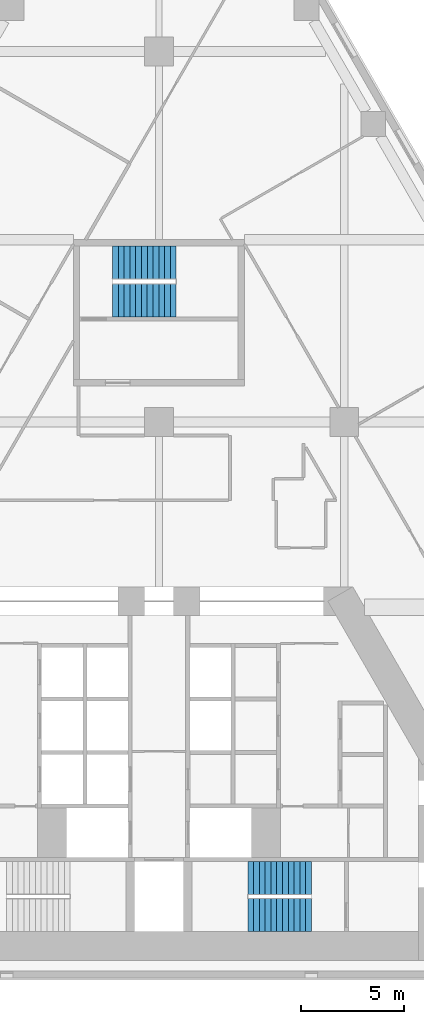
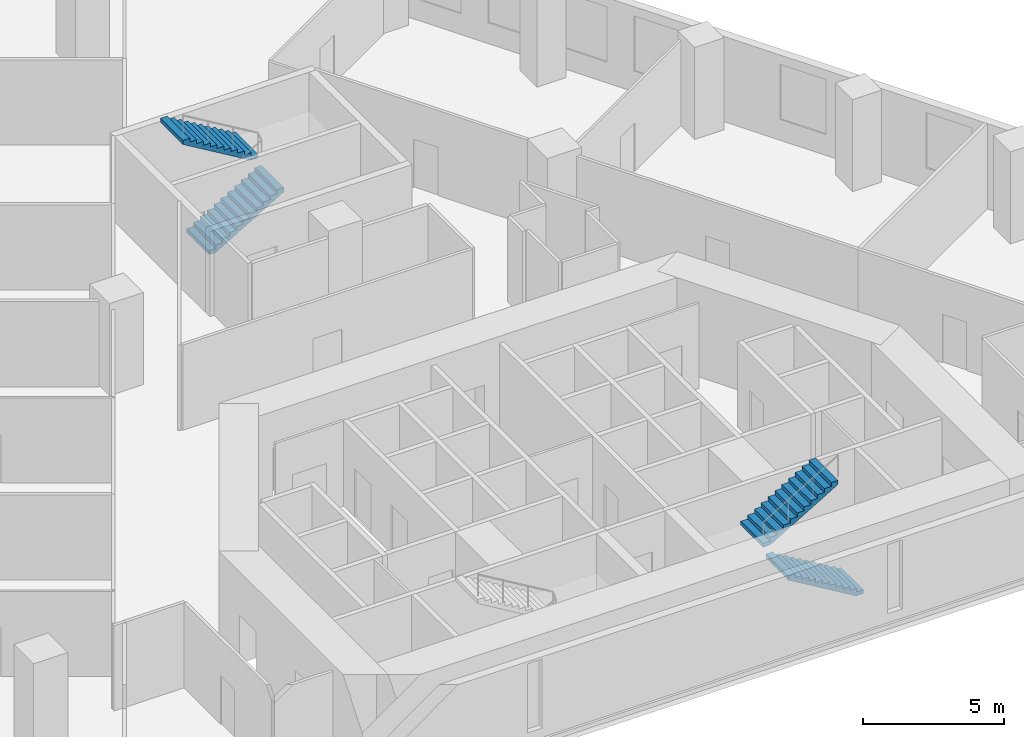
# One storey, part 8 of 9: 4 stair flights, 2 elements without a shape of their own.
"""IFC4 building model written with IfcOpenShell, lengths in metres."""

from ifc_helpers import new_model, si_unit, direction, frame, origin, place, context, subcontext, project, spatial, polyline, outline, extrude, material, type_object, element, aggregate, save


model = new_model("IFC4")

# Units and contexts
model_context = context("Model", 3, precision=1e-05, world=origin(), true_north=direction((0.0, 1.0)))
body_context = subcontext(model_context, "Body", "Model", "MODEL_VIEW")
ifc_project = project(units=[si_unit("LENGTHUNIT", "METRE"), si_unit("AREAUNIT", "SQUARE_METRE"), si_unit("VOLUMEUNIT", "CUBIC_METRE"), si_unit("PLANEANGLEUNIT", "RADIAN"), si_unit("MASSUNIT", "GRAM", prefix="KILO")], contexts=[model_context])

# Site, building, storey
site_placement = place(None, origin())
site = spatial("IfcSite", under=ifc_project, at=site_placement, CompositionType="ELEMENT")
building_placement = place(site_placement, origin())
building = spatial("IfcBuilding", under=site, at=building_placement, Name="Fogline Exchange Tower", CompositionType="ELEMENT")
storey_placement = place(building_placement, frame((0.0, 0.0, 84.89990234375)))
storey = spatial("IfcBuildingStorey", under=building, at=storey_placement, Name="L18", CompositionType="ELEMENT", Elevation=84.89990234375)

# Stair, stair flights
ifc_material = material(Name="Concrete C40", Category="concrete")
stair_type = type_object("IfcStairType", Name="STR24-1667", PredefinedType="HALF_TURN_STAIR", material=ifc_material)
stair_1_placement = place(storey_placement, origin())
stair_1 = element("IfcStair", 1, at=stair_1_placement, inside=storey, type_object=stair_type, Name="Stair ST2", PredefinedType="HALF_TURN_STAIR")
stair_flight_type = type_object("IfcStairFlightType", Name="SF12-1667", PredefinedType="STRAIGHT", material=ifc_material)
stair_flight_1_placement = place(storey_placement, frame((7.39990234375, 3.050048828125, 0.0), z_axis=(0.0, 0.0, 1.0), x_axis=(-1.0, 0.0, 0.0)))
stair_flight_1 = element("IfcStairFlight", 2, at=stair_flight_1_placement, type_object=stair_flight_type, Name="ST2 flight 1", NumberOfRisers=12, NumberOfTreads=11, PredefinedType="STRAIGHT", RiserHeight=0.166666667, TreadLength=0.28, context=body_context, shape_type="SweptSolid", body=[
    extrude(outline(polyline([(0.0, 0.0), (0.0, 0.166748046875), (0.280029296875, 0.166748046875), (0.280029296875, 0.333251953125), (0.56005859375, 0.333251953125), (0.56005859375, 0.5), (0.840087890625, 0.5), (0.840087890625, 0.666748046875), (1.1201171875, 0.666748046875), (1.1201171875, 0.833251953125), (1.39990234375, 0.833251953125), (1.39990234375, 1.0), (1.679931640625, 1.0), (1.679931640625, 1.166748046875), (1.9599609375, 1.166748046875), (1.9599609375, 1.333251953125), (2.239990234375, 1.333251953125), (2.239990234375, 1.5), (2.52001953125, 1.5), (2.52001953125, 1.666748046875), (2.800048828125, 1.666748046875), (2.800048828125, 1.833251953125), (3.080078125, 1.833251953125), (3.080078125, 2.0), (3.080078125, 1.658935546875), (0.29296875, 0.0), (0.0, 0.0)])), frame((0.0, 0.800048828125, 0.0), z_axis=(0.0, -1.0, 0.0), x_axis=(1.0, 0.0, 0.0)), (0.0, 0.0, 1.0), 1.60009765625),
])
stair_flight_2_placement = place(storey_placement, frame((4.320068359375, 4.85009765625, 2.0), z_axis=(0.0, 0.0, 1.0), x_axis=(1.0, 0.0, 0.0)))
stair_flight_2 = element("IfcStairFlight", 3, at=stair_flight_2_placement, type_object=stair_flight_type, Name="ST2 flight 2", NumberOfRisers=12, NumberOfTreads=11, PredefinedType="STRAIGHT", RiserHeight=0.166666667, TreadLength=0.28, context=body_context, shape_type="SweptSolid", body=[
    extrude(outline(polyline([(0.0, 0.0), (0.0, 0.166748046875), (0.280029296875, 0.166748046875), (0.280029296875, 0.333251953125), (0.56005859375, 0.333251953125), (0.56005859375, 0.5), (0.840087890625, 0.5), (0.840087890625, 0.666748046875), (1.1201171875, 0.666748046875), (1.1201171875, 0.833251953125), (1.39990234375, 0.833251953125), (1.39990234375, 1.0), (1.679931640625, 1.0), (1.679931640625, 1.166748046875), (1.9599609375, 1.166748046875), (1.9599609375, 1.333251953125), (2.239990234375, 1.333251953125), (2.239990234375, 1.5), (2.52001953125, 1.5), (2.52001953125, 1.666748046875), (2.800048828125, 1.666748046875), (2.800048828125, 1.833251953125), (3.080078125, 1.833251953125), (3.080078125, 2.0), (3.080078125, 1.658935546875), (0.29296875, 0.0), (0.0, 0.0)])), frame((0.0, 0.800048828125, 0.0), z_axis=(0.0, -1.0, 0.0), x_axis=(1.0, 0.0, 0.0)), (0.0, 0.0, 1.0), 1.60009765625),
])
aggregate(stair_1, [stair_flight_1, stair_flight_2])

stair_2_placement = place(storey_placement, origin())
stair_2 = element("IfcStair", 4, at=stair_2_placement, inside=storey, type_object=stair_type, Name="Stair ST3", PredefinedType="HALF_TURN_STAIR")
stair_flight_3_placement = place(storey_placement, frame((-2.25, 32.906982421875, 0.0), z_axis=(0.0, 0.0, 1.0), x_axis=(1.0, 0.0, 0.0)))
stair_flight_3 = element("IfcStairFlight", 5, at=stair_flight_3_placement, type_object=stair_flight_type, Name="ST3 flight 1", NumberOfRisers=12, NumberOfTreads=11, PredefinedType="STRAIGHT", RiserHeight=0.166666667, TreadLength=0.28, context=body_context, shape_type="SweptSolid", body=[
    extrude(outline(polyline([(0.0, 0.0), (0.0, 0.166748046875), (0.280029296875, 0.166748046875), (0.280029296875, 0.333251953125), (0.56005859375, 0.333251953125), (0.56005859375, 0.5), (0.840087890625, 0.5), (0.840087890625, 0.666748046875), (1.1201171875, 0.666748046875), (1.1201171875, 0.833251953125), (1.39990234375, 0.833251953125), (1.39990234375, 1.0), (1.679931640625, 1.0), (1.679931640625, 1.166748046875), (1.9599609375, 1.166748046875), (1.9599609375, 1.333251953125), (2.239990234375, 1.333251953125), (2.239990234375, 1.5), (2.52001953125, 1.5), (2.52001953125, 1.666748046875), (2.800048828125, 1.666748046875), (2.800048828125, 1.833251953125), (3.080078125, 1.833251953125), (3.080078125, 2.0), (3.080078125, 1.658935546875), (0.29296875, 0.0), (0.0, 0.0)])), frame((0.0, 0.800048828125, 0.0), z_axis=(0.0, -1.0, 0.0), x_axis=(1.0, 0.0, 0.0)), (0.0, 0.0, 1.0), 1.60009765625),
])
stair_flight_4_placement = place(storey_placement, frame((0.830078125, 34.757080078125, 2.0), z_axis=(0.0, 0.0, 1.0), x_axis=(-1.0, 0.0, 0.0)))
stair_flight_4 = element("IfcStairFlight", 6, at=stair_flight_4_placement, type_object=stair_flight_type, Name="ST3 flight 2", NumberOfRisers=12, NumberOfTreads=11, PredefinedType="STRAIGHT", RiserHeight=0.166666667, TreadLength=0.28, context=body_context, shape_type="SweptSolid", body=[
    extrude(outline(polyline([(0.0, 0.0), (0.0, 0.166748046875), (0.280029296875, 0.166748046875), (0.280029296875, 0.333251953125), (0.56005859375, 0.333251953125), (0.56005859375, 0.5), (0.840087890625, 0.5), (0.840087890625, 0.666748046875), (1.1201171875, 0.666748046875), (1.1201171875, 0.833251953125), (1.39990234375, 0.833251953125), (1.39990234375, 1.0), (1.679931640625, 1.0), (1.679931640625, 1.166748046875), (1.9599609375, 1.166748046875), (1.9599609375, 1.333251953125), (2.239990234375, 1.333251953125), (2.239990234375, 1.5), (2.52001953125, 1.5), (2.52001953125, 1.666748046875), (2.800048828125, 1.666748046875), (2.800048828125, 1.833251953125), (3.080078125, 1.833251953125), (3.080078125, 2.0), (3.080078125, 1.658935546875), (0.29296875, 0.0), (0.0, 0.0)])), frame((0.0, 0.800048828125, 0.0), z_axis=(0.0, -1.0, 0.0), x_axis=(1.0, 0.0, 0.0)), (0.0, 0.0, 1.0), 1.60009765625),
])
aggregate(stair_2, [stair_flight_3, stair_flight_4])

save(model, "model.ifc")
